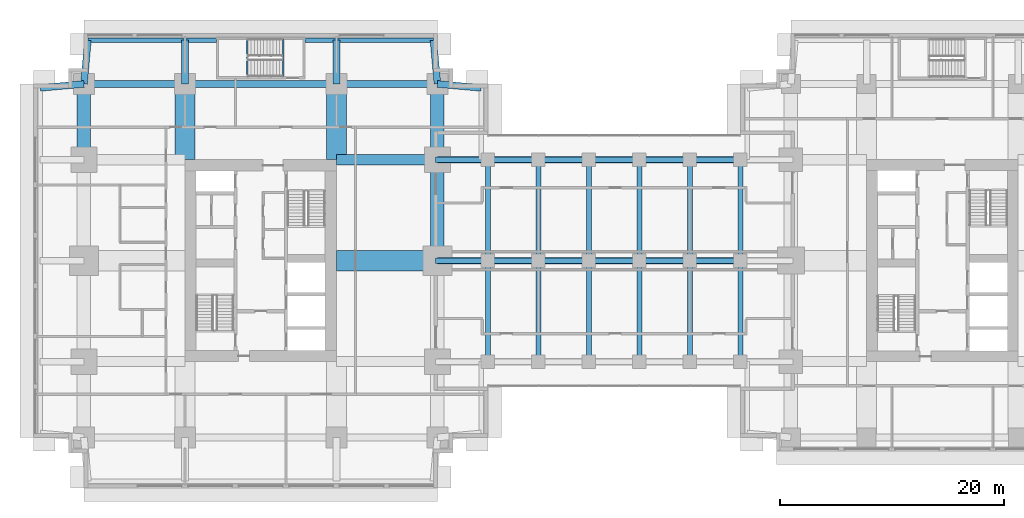
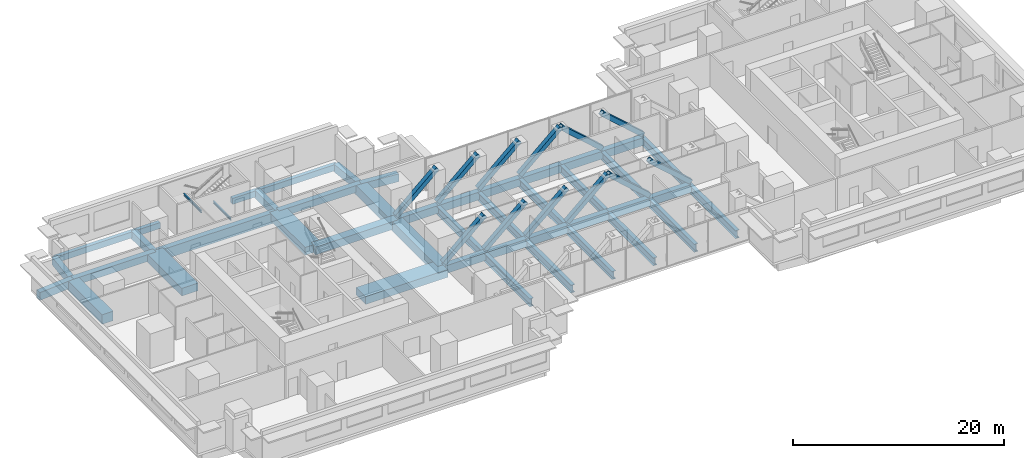
# One storey, part 3 of 16: 44 beams, 12 members.
"""IFC4 building model written with IfcOpenShell, lengths in metres."""

from ifc_helpers import new_model, si_unit, direction, frame, origin, origin_2d, place, context, subcontext, project, spatial, rectangle, hollow_rectangle, i_section, extrude, material, material_profile, profile_set, type_object, element, save


model = new_model("IFC4")

# Units and contexts
model_context = context("Model", 3, precision=1e-05, world=origin(), true_north=direction((0.0, 1.0)))
body_context = subcontext(model_context, "Body", "Model", "MODEL_VIEW")
ifc_project = project(units=[si_unit("LENGTHUNIT", "METRE"), si_unit("AREAUNIT", "SQUARE_METRE"), si_unit("VOLUMEUNIT", "CUBIC_METRE"), si_unit("PLANEANGLEUNIT", "RADIAN"), si_unit("MASSUNIT", "GRAM", prefix="KILO")], contexts=[model_context])

# Site, building, storey
site_placement = place(None, origin())
site = spatial("IfcSite", under=ifc_project, at=site_placement, CompositionType="ELEMENT")
building_placement = place(site_placement, origin())
building = spatial("IfcBuilding", under=site, at=building_placement, Name="Namib Vertical Campus", CompositionType="ELEMENT")
storey_placement = place(building_placement, frame((0.0, 0.0, 113.0)))
storey = spatial("IfcBuildingStorey", under=building, at=storey_placement, Name="L26", CompositionType="ELEMENT", Elevation=113.0)

# Members
ifc_material_1 = material(Name="Steel S355JR", Category="steel")
ifc_material_profile_1 = material_profile(ifc_material_1, hollow_rectangle(XDim=0.5, YDim=0.5, WallThickness=0.031982421875, at=origin_2d()))
ifc_profile_set_1 = profile_set([ifc_material_profile_1], Name="Steel S355JR")
member_type = type_object("IfcMemberType", Name="Bridge end brace WB 500x500x32", PredefinedType="BRACE", material=ifc_profile_set_1)
for number, where, z_axis, x_axis, name in (
    (1, (36.0, 20.25, 0.0), (0.747409318684, 0.0, 0.66436383883), (0.0, 1.0, 0.0), "Bridge brace BX1 L26 T2 bay 1"),
    (2, (40.5, 20.25, 0.0), (0.747409318684, 0.0, 0.66436383883), (0.0, 1.0, 0.0), "Bridge brace BX1 L26 T2 bay 2"),
    (3, (45.0, 20.25, 0.0), (0.747409318684, 0.0, 0.66436383883), (0.0, 1.0, 0.0), "Bridge brace BX1 L26 T2 bay 3"),
    (4, (49.5, 20.25, 0.0), (0.747409318684, 0.0, 0.66436383883), (0.0, 1.0, 0.0), "Bridge brace BX1 L26 T2 bay 4"),
    (5, (58.5, 20.25, 0.0), (-0.747409318684, 0.0, 0.66436383883), (0.0, -1.0, 0.0), "Bridge brace BX1 L26 T2 bay 5"),
    (6, (63.0, 20.25, 0.0), (-0.747409318684, 0.0, 0.66436383883), (0.0, -1.0, 0.0), "Bridge brace BX1 L26 T2 bay 6"),
    (7, (36.0, 29.25, 0.0), (0.747409318684, 0.0, 0.66436383883), (0.0, 1.0, 0.0), "Bridge brace BX1 L26 T3 bay 1"),
    (8, (40.5, 29.25, 0.0), (0.747409318684, 0.0, 0.66436383883), (0.0, 1.0, 0.0), "Bridge brace BX1 L26 T3 bay 2"),
    (9, (45.0, 29.25, 0.0), (0.747409318684, 0.0, 0.66436383883), (0.0, 1.0, 0.0), "Bridge brace BX1 L26 T3 bay 3"),
    (10, (49.5, 29.25, 0.0), (0.747409318684, 0.0, 0.66436383883), (0.0, 1.0, 0.0), "Bridge brace BX1 L26 T3 bay 4"),
    (11, (58.5, 29.25, 0.0), (-0.747409318684, 0.0, 0.66436383883), (0.0, -1.0, 0.0), "Bridge brace BX1 L26 T3 bay 5"),
    (12, (63.0, 29.25, 0.0), (-0.747409318684, 0.0, 0.66436383883), (0.0, -1.0, 0.0), "Bridge brace BX1 L26 T3 bay 6"),
):
    element("IfcMember", number, at=place(storey_placement, frame(where, z_axis=z_axis, x_axis=x_axis)), inside=storey, type_object=member_type, Name=name, PredefinedType="BRACE", context=body_context, shape_type="SweptSolid", body=[
        extrude(hollow_rectangle(XDim=0.5, YDim=0.5, WallThickness=0.031982421875, at=origin_2d()), origin(), (0.0, 0.0, 1.0), 6.020751953125),
    ])

# Beams
ifc_material_2 = material(Name="Steel S355JR", Category="steel")
ifc_material_profile_2 = material_profile(ifc_material_2, i_section(OverallWidth=0.42041015625, OverallDepth=0.92041015625, WebThickness=0.021484375, FlangeThickness=0.03662109375, FilletRadius=0.024169921875, at=origin_2d()))
ifc_profile_set_2 = profile_set([ifc_material_profile_2], Name="Steel S355JR")
beam_type_1 = type_object("IfcBeamType", Name="Bridge floor beam UB 914x419x388", PredefinedType="BEAM", material=ifc_profile_set_2)
for number, where, z_axis, x_axis, name in (
    (13, (40.5, 11.25, -0.710205078125), (0.0, 1.0, 0.0), (-1.0, 0.0, 0.0), "Bridge beam BB1 L26"),
    (14, (40.5, 20.25, -0.710205078125), (0.0, 1.0, 0.0), (-1.0, 0.0, 0.0), "Bridge beam BB1 L26"),
    (15, (45.0, 11.25, -0.710205078125), (0.0, 1.0, 0.0), (-1.0, 0.0, 0.0), "Bridge beam BB1 L26"),
    (16, (45.0, 20.25, -0.710205078125), (0.0, 1.0, 0.0), (-1.0, 0.0, 0.0), "Bridge beam BB1 L26"),
    (17, (49.5, 11.25, -0.710205078125), (0.0, 1.0, 0.0), (-1.0, 0.0, 0.0), "Bridge beam BB1 L26"),
    (18, (49.5, 20.25, -0.710205078125), (0.0, 1.0, 0.0), (-1.0, 0.0, 0.0), "Bridge beam BB1 L26"),
    (19, (54.0, 11.25, -0.710205078125), (0.0, 1.0, 0.0), (-1.0, 0.0, 0.0), "Bridge beam BB1 L26"),
    (20, (54.0, 20.25, -0.710205078125), (0.0, 1.0, 0.0), (-1.0, 0.0, 0.0), "Bridge beam BB1 L26"),
    (21, (58.5, 11.25, -0.710205078125), (0.0, 1.0, 0.0), (-1.0, 0.0, 0.0), "Bridge beam BB1 L26"),
    (22, (58.5, 20.25, -0.710205078125), (0.0, 1.0, 0.0), (-1.0, 0.0, 0.0), "Bridge beam BB1 L26"),
    (23, (63.0, 11.25, -0.710205078125), (0.0, 1.0, 0.0), (-1.0, 0.0, 0.0), "Bridge beam BB1 L26"),
    (24, (63.0, 20.25, -0.710205078125), (0.0, 1.0, 0.0), (-1.0, 0.0, 0.0), "Bridge beam BB1 L26"),
):
    element("IfcBeam", number, at=place(storey_placement, frame(where, z_axis=z_axis, x_axis=x_axis)), inside=storey, type_object=beam_type_1, Name=name, PredefinedType="BEAM", context=body_context, shape_type="SweptSolid", body=[
        extrude(i_section(OverallWidth=0.42041015625, OverallDepth=0.92041015625, WebThickness=0.021484375, FlangeThickness=0.03662109375, FilletRadius=0.024169921875, at=origin_2d()), origin(), (0.0, 0.0, 1.0), 9.0),
    ])
ifc_material_3 = material(Name="Steel S355JR", Category="steel")
ifc_material_profile_3 = material_profile(ifc_material_3, hollow_rectangle(XDim=0.60009765625, YDim=0.89990234375, WallThickness=0.050048828125, at=origin_2d()))
ifc_profile_set_3 = profile_set([ifc_material_profile_3], Name="Steel S355JR")
beam_type_2 = type_object("IfcBeamType", Name="Bridge girder WB 900x600x50", PredefinedType="BEAM", material=ifc_profile_set_3)
for number, where, z_axis, x_axis, name in (
    (25, (36.0, 20.25, -0.699951171875), (1.0, 0.0, 0.0), (0.0, 1.0, 0.0), "Bridge girder BG1 L26"),
    (26, (40.5, 20.25, -0.699951171875), (1.0, 0.0, 0.0), (0.0, 1.0, 0.0), "Bridge girder BG1 L26"),
    (27, (45.0, 20.25, -0.699951171875), (1.0, 0.0, 0.0), (0.0, 1.0, 0.0), "Bridge girder BG1 L26"),
    (28, (49.5, 20.25, -0.699951171875), (1.0, 0.0, 0.0), (0.0, 1.0, 0.0), "Bridge girder BG1 L26"),
    (29, (54.0, 20.25, -0.699951171875), (1.0, 0.0, 0.0), (0.0, 1.0, 0.0), "Bridge girder BG1 L26"),
    (30, (58.5, 20.25, -0.699951171875), (1.0, 0.0, 0.0), (0.0, 1.0, 0.0), "Bridge girder BG1 L26"),
    (31, (36.0, 29.25, -0.699951171875), (1.0, 0.0, 0.0), (0.0, 1.0, 0.0), "Bridge girder BG1 L26"),
    (32, (40.5, 29.25, -0.699951171875), (1.0, 0.0, 0.0), (0.0, 1.0, 0.0), "Bridge girder BG1 L26"),
    (33, (45.0, 29.25, -0.699951171875), (1.0, 0.0, 0.0), (0.0, 1.0, 0.0), "Bridge girder BG1 L26"),
    (34, (49.5, 29.25, -0.699951171875), (1.0, 0.0, 0.0), (0.0, 1.0, 0.0), "Bridge girder BG1 L26"),
    (35, (54.0, 29.25, -0.699951171875), (1.0, 0.0, 0.0), (0.0, 1.0, 0.0), "Bridge girder BG1 L26"),
    (36, (58.5, 29.25, -0.699951171875), (1.0, 0.0, 0.0), (0.0, 1.0, 0.0), "Bridge girder BG1 L26"),
):
    element("IfcBeam", number, at=place(storey_placement, frame(where, z_axis=z_axis, x_axis=x_axis)), inside=storey, type_object=beam_type_2, Name=name, PredefinedType="BEAM", context=body_context, shape_type="SweptSolid", body=[
        extrude(hollow_rectangle(XDim=0.60009765625, YDim=0.89990234375, WallThickness=0.050048828125, at=origin_2d()), origin(), (0.0, 0.0, 1.0), 4.5),
    ])
ifc_material_4 = material(Name="Concrete C40/50", Category="concrete")
ifc_material_profile_4 = material_profile(ifc_material_4, rectangle(XDim=0.60009765625, YDim=0.89990234375, at=origin_2d()))
ifc_profile_set_4 = profile_set([ifc_material_profile_4], Name="Concrete C40/50")
beam_type_3 = type_object("IfcBeamType", Name="Cantilever girder RC 600x900", PredefinedType="BEAM", material=ifc_profile_set_4)
beam_1_placement = place(storey_placement, frame((4.5, 36.0, -0.699951171875), z_axis=(0.089411326146, 0.995994786511, 0.0), x_axis=(-0.995994786511, 0.089411326146, 0.0)))
element("IfcBeam", 37, at=beam_1_placement, inside=storey, type_object=beam_type_3, Name="Beam B3 L26", PredefinedType="BEAM", context=body_context, shape_type="SweptSolid", body=[
    extrude(rectangle(XDim=0.60009765625, YDim=0.89990234375, at=origin_2d()), origin(), (0.0, 0.0, 1.0), 3.91552734375),
])
for number, where, z_axis, x_axis, name in (
    (38, (13.5, 36.0, -0.699951171875), (0.0, 1.0, 0.0), (-1.0, 0.0, 0.0), "Beam B3 L26"),
    (39, (27.0, 36.0, -0.699951171875), (0.0, 1.0, 0.0), (-1.0, 0.0, 0.0), "Beam B3 L26"),
):
    element("IfcBeam", number, at=place(storey_placement, frame(where, z_axis=z_axis, x_axis=x_axis)), inside=storey, type_object=beam_type_3, Name=name, PredefinedType="BEAM", context=body_context, shape_type="SweptSolid", body=[
        extrude(rectangle(XDim=0.60009765625, YDim=0.89990234375, at=origin_2d()), origin(), (0.0, 0.0, 1.0), 3.89990234375),
    ])
for number, where, z_axis, x_axis, name in (
    (40, (36.0, 36.0, -0.699951171875), (-0.089411326146, 0.995994786511, 0.0), (-0.995994786511, -0.089411326146, 0.0), "Beam B3 L26"),
    (41, (4.5, 36.0, -0.699951171875), (-0.995994786511, -0.089411326146, 0.0), (0.089411326146, -0.995994786511, 0.0), "Beam B3 L26"),
    (42, (36.0, 36.0, -0.699951171875), (0.995994786511, -0.089411326146, 0.0), (0.089411326146, 0.995994786511, 0.0), "Beam B3 L26"),
):
    element("IfcBeam", number, at=place(storey_placement, frame(where, z_axis=z_axis, x_axis=x_axis)), inside=storey, type_object=beam_type_3, Name=name, PredefinedType="BEAM", context=body_context, shape_type="SweptSolid", body=[
        extrude(rectangle(XDim=0.60009765625, YDim=0.89990234375, at=origin_2d()), origin(), (0.0, 0.0, 1.0), 3.91552734375),
    ])
ifc_material_5 = material(Name="Concrete C40/50", Category="concrete")
ifc_material_profile_5 = material_profile(ifc_material_5, rectangle(XDim=0.39990234375, YDim=0.699951171875, at=origin_2d()))
ifc_profile_set_5 = profile_set([ifc_material_profile_5], Name="Concrete C40/50")
beam_type_4 = type_object("IfcBeamType", Name="Edge beam RC 400x700", PredefinedType="SPANDREL", material=ifc_profile_set_5)
for number, where, z_axis, x_axis, name in (
    (43, (4.85009765625, 39.89990234375, -0.60009765625), (1.0, 0.0, 0.0), (0.0, 1.0, 0.0), "Beam B4 L26"),
    (44, (24.199951171875, 39.89990234375, -0.60009765625), (1.0, 0.0, 0.0), (0.0, 1.0, 0.0), "Beam B4 L26"),
):
    element("IfcBeam", number, at=place(storey_placement, frame(where, z_axis=z_axis, x_axis=x_axis)), inside=storey, type_object=beam_type_4, Name=name, PredefinedType="SPANDREL", context=body_context, shape_type="SweptSolid", body=[
        extrude(rectangle(XDim=0.39990234375, YDim=0.699951171875, at=origin_2d()), origin(), (0.0, 0.0, 1.0), 11.449951171875),
    ])
ifc_material_6 = material(Name="Concrete C40/50", Category="concrete")
ifc_material_profile_6 = material_profile(ifc_material_6, rectangle(XDim=0.89990234375, YDim=0.89990234375, at=origin_2d()))
ifc_profile_set_6 = profile_set([ifc_material_profile_6], Name="Concrete C40/50")
beam_type_5 = type_object("IfcBeamType", Name="Face girder RC 900x900", PredefinedType="BEAM", material=ifc_profile_set_6)
beam_2_placement = place(storey_placement, frame((36.0, 29.25, -0.699951171875), z_axis=(-1.0, 0.0, 0.0), x_axis=(0.0, -1.0, 0.0)))
element("IfcBeam", 45, at=beam_2_placement, inside=storey, type_object=beam_type_5, Name="Beam B10 L26", PredefinedType="BEAM", context=body_context, shape_type="SweptSolid", body=[
    extrude(rectangle(XDim=0.89990234375, YDim=0.89990234375, at=origin_2d()), origin(), (0.0, 0.0, 1.0), 9.0),
])
ifc_material_7 = material(Name="Concrete C40/50", Category="concrete")
ifc_material_profile_7 = material_profile(ifc_material_7, rectangle(XDim=1.199951171875, YDim=1.10009765625, at=origin_2d()))
ifc_profile_set_7 = profile_set([ifc_material_profile_7], Name="Concrete C40/50")
beam_type_6 = type_object("IfcBeamType", Name="Face ring beam RC 1200x1100", PredefinedType="BEAM", material=ifc_profile_set_7)
beam_3_placement = place(storey_placement, frame((4.5, 29.25, -0.800048828125), z_axis=(0.0, 1.0, 0.0), x_axis=(-1.0, 0.0, 0.0)))
element("IfcBeam", 46, at=beam_3_placement, inside=storey, type_object=beam_type_6, Name="Beam B11 L26", PredefinedType="BEAM", context=body_context, shape_type="SweptSolid", body=[
    extrude(rectangle(XDim=1.199951171875, YDim=1.10009765625, at=origin_2d()), origin(), (0.0, 0.0, 1.0), 6.75),
])
beam_4_placement = place(storey_placement, frame((36.0, 20.25, -0.800048828125), z_axis=(0.0, 1.0, 0.0), x_axis=(-1.0, 0.0, 0.0)))
element("IfcBeam", 47, at=beam_4_placement, inside=storey, type_object=beam_type_6, Name="Beam B11 L26", PredefinedType="BEAM", context=body_context, shape_type="SweptSolid", body=[
    extrude(rectangle(XDim=1.199951171875, YDim=1.10009765625, at=origin_2d()), origin(), (0.0, 0.0, 1.0), 9.0),
])
beam_5_placement = place(storey_placement, frame((36.0, 29.25, -0.800048828125), z_axis=(0.0, 1.0, 0.0), x_axis=(-1.0, 0.0, 0.0)))
element("IfcBeam", 48, at=beam_5_placement, inside=storey, type_object=beam_type_6, Name="Beam B11 L26", PredefinedType="BEAM", context=body_context, shape_type="SweptSolid", body=[
    extrude(rectangle(XDim=1.199951171875, YDim=1.10009765625, at=origin_2d()), origin(), (0.0, 0.0, 1.0), 6.75),
])
ifc_material_8 = material(Name="Steel S355JR", Category="steel")
ifc_material_profile_8 = material_profile(ifc_material_8, i_section(OverallWidth=0.14599609375, OverallDepth=0.25146484375, WebThickness=0.006103515625, FlangeThickness=0.008544921875, FilletRadius=0.007568359375, at=origin_2d()))
ifc_profile_set_8 = profile_set([ifc_material_profile_8], Name="Steel S355JR")
beam_type_7 = type_object("IfcBeamType", Name="Landing trimmer UB 254x146x31", PredefinedType="BEAM", material=ifc_profile_set_8)
for number, where, z_axis, x_axis, name in (
    (49, (22.27294921875, 36.64990234375, -0.125732421875), (0.0, 1.0, 0.0), (-1.0, 0.0, 0.0), "Landing trimmer LT1 A-S3 L26 1"),
    (50, (19.046875, 36.64990234375, 1.874267578125), (0.0, 1.0, 0.0), (-1.0, 0.0, 0.0), "Landing trimmer LT1 A-S3 L26 2"),
):
    element("IfcBeam", number, at=place(storey_placement, frame(where, z_axis=z_axis, x_axis=x_axis)), inside=storey, type_object=beam_type_7, Name=name, PredefinedType="BEAM", context=body_context, shape_type="SweptSolid", body=[
        extrude(i_section(OverallWidth=0.14599609375, OverallDepth=0.25146484375, WebThickness=0.006103515625, FlangeThickness=0.008544921875, FilletRadius=0.007568359375, at=origin_2d()), origin(), (0.0, 0.0, 1.0), 3.35009765625),
    ])
ifc_material_9 = material(Name="Concrete C40/50", Category="concrete")
ifc_material_profile_9 = material_profile(ifc_material_9, rectangle(XDim=0.60009765625, YDim=1.199951171875, at=origin_2d()))
ifc_profile_set_9 = profile_set([ifc_material_profile_9], Name="Concrete C40/50")
beam_type_8 = type_object("IfcBeamType", Name="Long-span ring beam RC 600x1200", PredefinedType="BEAM", material=ifc_profile_set_9)
beam_6_placement = place(storey_placement, frame((13.5, 36.0, -0.85009765625), z_axis=(1.0, 0.0, 0.0), x_axis=(0.0, 1.0, 0.0)))
element("IfcBeam", 51, at=beam_6_placement, inside=storey, type_object=beam_type_8, Name="Beam B9 L26", PredefinedType="BEAM", context=body_context, shape_type="SweptSolid", body=[
    extrude(rectangle(XDim=0.60009765625, YDim=1.199951171875, at=origin_2d()), origin(), (0.0, 0.0, 1.0), 13.5),
])
ifc_material_10 = material(Name="Concrete C40/50", Category="concrete")
ifc_material_profile_10 = material_profile(ifc_material_10, rectangle(XDim=1.800048828125, YDim=0.89990234375, at=origin_2d()))
ifc_profile_set_10 = profile_set([ifc_material_profile_10], Name="Concrete C40/50")
beam_type_9 = type_object("IfcBeamType", Name="Outrigger line girder RC 1800x900", PredefinedType="BEAM", material=ifc_profile_set_10)
for number, where, z_axis, x_axis, name in (
    (52, (13.5, 36.0, -0.699951171875), (0.0, -1.0, 0.0), (1.0, 0.0, 0.0), "Beam B12 L26"),
    (53, (27.0, 36.0, -0.699951171875), (0.0, -1.0, 0.0), (1.0, 0.0, 0.0), "Beam B12 L26"),
):
    element("IfcBeam", number, at=place(storey_placement, frame(where, z_axis=z_axis, x_axis=x_axis)), inside=storey, type_object=beam_type_9, Name=name, PredefinedType="BEAM", context=body_context, shape_type="SweptSolid", body=[
        extrude(rectangle(XDim=1.800048828125, YDim=0.89990234375, at=origin_2d()), origin(), (0.0, 0.0, 1.0), 6.75),
    ])
beam_7_placement = place(storey_placement, frame((36.0, 20.25, -0.699951171875), z_axis=(-1.0, 0.0, 0.0), x_axis=(0.0, -1.0, 0.0)))
element("IfcBeam", 54, at=beam_7_placement, inside=storey, type_object=beam_type_9, Name="Beam B12 L26", PredefinedType="BEAM", context=body_context, shape_type="SweptSolid", body=[
    extrude(rectangle(XDim=1.800048828125, YDim=0.89990234375, at=origin_2d()), origin(), (0.0, 0.0, 1.0), 9.0),
])
ifc_material_11 = material(Name="Concrete C40/50", Category="concrete")
ifc_material_profile_11 = material_profile(ifc_material_11, rectangle(XDim=0.60009765625, YDim=0.800048828125, at=origin_2d()))
ifc_profile_set_11 = profile_set([ifc_material_profile_11], Name="Concrete C40/50")
beam_type_10 = type_object("IfcBeamType", Name="Ring beam RC 600x800", PredefinedType="BEAM", material=ifc_profile_set_11)
for number, where, z_axis, x_axis, name in (
    (55, (4.5, 36.0, -0.64990234375), (1.0, 0.0, 0.0), (0.0, 1.0, 0.0), "Beam B1 L26"),
    (56, (27.0, 36.0, -0.64990234375), (1.0, 0.0, 0.0), (0.0, 1.0, 0.0), "Beam B1 L26"),
):
    element("IfcBeam", number, at=place(storey_placement, frame(where, z_axis=z_axis, x_axis=x_axis)), inside=storey, type_object=beam_type_10, Name=name, PredefinedType="BEAM", context=body_context, shape_type="SweptSolid", body=[
        extrude(rectangle(XDim=0.60009765625, YDim=0.800048828125, at=origin_2d()), origin(), (0.0, 0.0, 1.0), 9.0),
    ])

save(model, "model.ifc")
